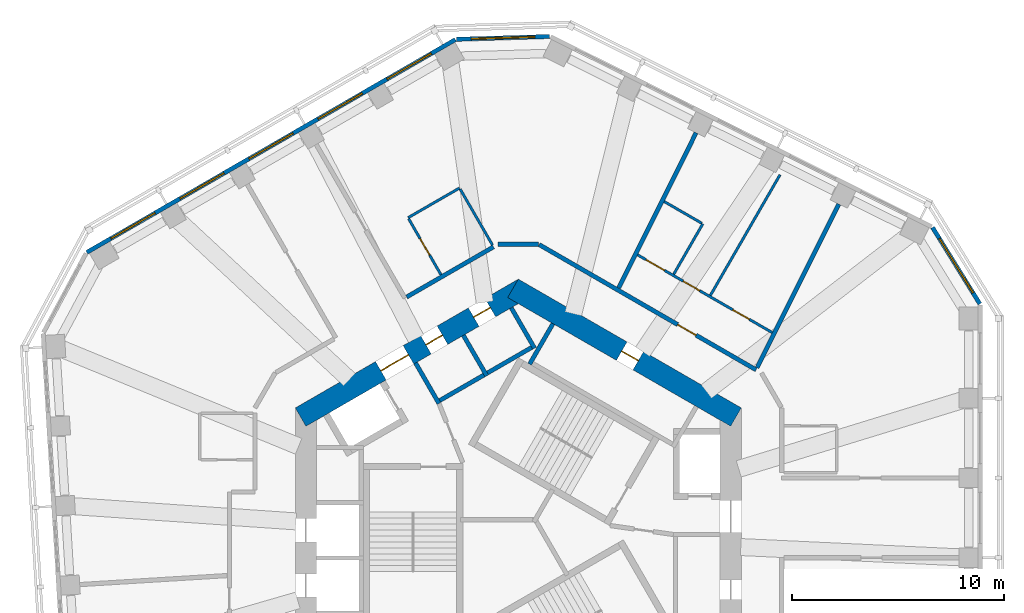
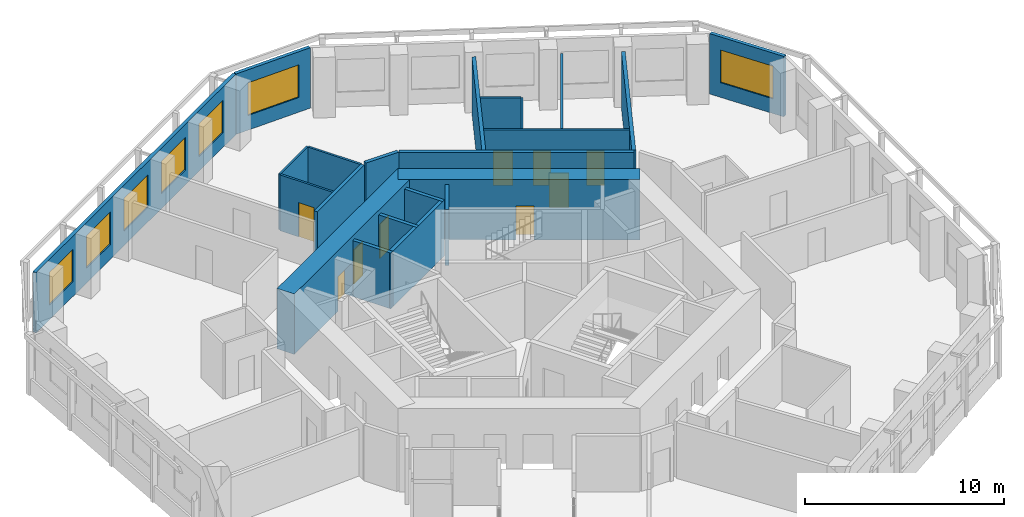
# One storey, part 7 of 11: 22 walls, 9 doors, 7 windows, 16 openings.
"""IFC4 building model written with IfcOpenShell, lengths in metres."""

import ifcopenshell
import ifcopenshell.guid

model = None  # the IFC model being written
_history = None  # IfcOwnerHistory: only IFC2X3 demands one
_inside = {}  # id of a spatial element -> (the spatial element, [elements in it])
_under = {}  # id of a project, library or spatial element -> (it, [spatial elements below it])
_declared = {}  # id of a project -> (the project, [libraries it declares])
_typed = {}  # id of a type object -> (the type object, [elements of that type])
_made_of = {}  # id of a material, layer set ... -> (it, [elements and type objects made of it])


def new_model(schema):
    """Start an empty IFC model of exactly this schema.

    Asked for "IFC4X3", IfcOpenShell would pick the latest addendum, in which some entities
    have other attributes; the version numbers below select the first issue.
    IFC2X3 requires an IfcOwnerHistory on every rooted entity: one is made here for all.
    """
    global model, _history
    if schema == "IFC4X3":
        model = ifcopenshell.file(schema_version=(4, 3, 0, 0))
    else:
        model = ifcopenshell.file(schema=schema)
    _inside.clear()
    _under.clear()
    _declared.clear()
    _typed.clear()
    _made_of.clear()
    _history = None
    if model.schema == "IFC2X3":
        org = make("IfcOrganization", Name="unknown")
        user = make(
            "IfcPersonAndOrganization",
            ThePerson=make("IfcPerson", FamilyName="unknown"),
            TheOrganization=org,
        )
        app = make(
            "IfcApplication",
            ApplicationDeveloper=org,
            Version="unknown",
            ApplicationFullName="unknown",
            ApplicationIdentifier="unknown",
        )
        _history = make(
            "IfcOwnerHistory",
            OwningUser=user,
            OwningApplication=app,
            ChangeAction="ADDED",
            CreationDate=0,
        )
    return model


def make(cls, **values):
    """One entity of the class cls with the attributes given. An attribute that is None is left unset."""
    return model.create_entity(
        cls, **{name: value for name, value in values.items() if value is not None}
    )


def rooted(cls, **values):
    """An entity with a GlobalId (a new one), such as an element, a storey or a relation."""
    return make(cls, GlobalId=ifcopenshell.guid.new(), OwnerHistory=_history, **values)


def si_unit(unit_type, name, prefix=None):
    """IfcSIUnit, for example si_unit("LENGTHUNIT", "METRE", prefix="MILLI")."""
    return make("IfcSIUnit", UnitType=unit_type, Prefix=prefix, Name=name)


def assignment(units):
    """IfcUnitAssignment: the units of a project."""
    return None if units is None else make("IfcUnitAssignment", Units=units)


def point(xyz):
    """IfcCartesianPoint."""
    return None if xyz is None else make("IfcCartesianPoint", Coordinates=xyz)


def direction(xyz):
    """IfcDirection."""
    return None if xyz is None else make("IfcDirection", DirectionRatios=xyz)


def frame(location, z_axis=None, x_axis=None):
    """IfcAxis2Placement3D, a coordinate frame: its origin and axes. An axis left out is left unset."""
    return make(
        "IfcAxis2Placement3D",
        Location=point(location),
        Axis=direction(z_axis),
        RefDirection=direction(x_axis),
    )


def frame_2d(location, x_axis=None):
    """IfcAxis2Placement2D, a coordinate frame in the plane: its origin and x axis."""
    return make(
        "IfcAxis2Placement2D", Location=point(location), RefDirection=direction(x_axis)
    )


def origin():
    """The frame at (0, 0, 0) with its axes left unset."""
    return frame((0.0, 0.0, 0.0))


def place(relative_to, where):
    """IfcLocalPlacement: puts the frame where relative to a parent placement (None: the world)."""
    return make(
        "IfcLocalPlacement", PlacementRelTo=relative_to, RelativePlacement=where
    )


def context(
    kind, dimensions, precision=None, world=None, true_north=None, identifier=None
):
    """IfcGeometricRepresentationContext, for example the 3D "Model" context."""
    return make(
        "IfcGeometricRepresentationContext",
        ContextIdentifier=identifier,
        ContextType=kind,
        CoordinateSpaceDimension=dimensions,
        Precision=precision,
        WorldCoordinateSystem=world,
        TrueNorth=true_north,
    )


def subcontext(parent, identifier, kind, view, scale=None):
    """IfcGeometricRepresentationSubContext, for example "Body" below "Model"."""
    return make(
        "IfcGeometricRepresentationSubContext",
        ContextIdentifier=identifier,
        ContextType=kind,
        ParentContext=parent,
        TargetScale=scale,
        TargetView=view,
    )


def project(units=None, contexts=None):
    """IfcProject with its units and contexts."""
    return rooted(
        "IfcProject",
        Name="project",
        RepresentationContexts=contexts,
        UnitsInContext=assignment(units),
    )


def spatial(cls, under=None, at=None, **own):
    """A site, building, storey or space (cls), placed at a placement, below another one or the project."""
    s = rooted(cls, ObjectPlacement=at, **own)
    if under is not None:
        _under.setdefault(under.id(), (under, []))[1].append(s)
    return s


def profile(cls, at=None, kind="AREA", **sizes):
    """A parametric profile (cls). Its sizes go by their IFC names, for example OverallWidth=200.0."""
    return make(cls, ProfileType=kind, Position=at, **sizes)


def rectangle(**sizes):
    """IfcRectangleProfileDef."""
    return profile("IfcRectangleProfileDef", **sizes)


def extrude(swept, where, along, depth):
    """IfcExtrudedAreaSolid: the profile swept, set in the frame where, extruded along a direction by depth."""
    return make(
        "IfcExtrudedAreaSolid",
        SweptArea=swept,
        Position=where,
        ExtrudedDirection=direction(along),
        Depth=depth,
    )


def shape(context_of_items, identifier, shape_type, items):
    """IfcShapeRepresentation: the items that make up one representation, for example the "Body"."""
    return make(
        "IfcShapeRepresentation",
        ContextOfItems=context_of_items,
        RepresentationIdentifier=identifier,
        RepresentationType=shape_type,
        Items=items,
    )


def material(Name=None, Category=None):
    """IfcMaterial."""
    return make("IfcMaterial", Name=Name, Category=Category)


def layer(
    of_material, thickness, ventilated=None, Name=None, Category=None, Priority=None
):
    """IfcMaterialLayer: one layer of a wall or slab, of a material (None: an air gap)."""
    return make(
        "IfcMaterialLayer",
        Material=of_material,
        LayerThickness=thickness,
        IsVentilated=ventilated,
        Name=Name,
        Category=Category,
        Priority=Priority,
    )


def layer_set(layers, Name=None):
    """IfcMaterialLayerSet."""
    return make("IfcMaterialLayerSet", MaterialLayers=layers, LayerSetName=Name)


def made_of(thing, what):
    """Note that an element or type object is made of a material, layer set ...; save() writes the relation."""
    if what is not None:
        _made_of.setdefault(what.id(), (what, []))[1].append(thing)
    return thing


def type_object(cls, material=None, **own):
    """A type object (cls), such as IfcWallType, which elements share."""
    return made_of(rooted(cls, **own), material)


def element(
    cls,
    number,
    at=None,
    inside=None,
    cuts=None,
    type_object=None,
    material=None,
    context=None,
    identifier="Body",
    shape_type=None,
    held_by="IfcProductDefinitionShape",
    body=None,
    shapes=None,
    **own,
):
    """One element of the class cls, such as IfcWall. Its Tag is "e" and its number.

    at: its placement. inside: the storey or other place that contains it. cuts: it is an
    opening in that element (IfcRelVoidsElement). A single representation is given by context,
    identifier, shape_type and body (its items); several are given by shapes. held_by: the class
    of the entity that holds the representations. save() writes the other relations.
    """
    e = rooted(cls, Tag="e%d" % number, ObjectPlacement=at, **own)
    if body is not None:
        shapes = [shape(context, identifier, shape_type, body)]
    if shapes is not None:
        e.Representation = make(held_by, Representations=shapes)
    if inside is not None:
        _inside.setdefault(inside.id(), (inside, []))[1].append(e)
    if cuts is not None:
        rooted(
            "IfcRelVoidsElement", RelatingBuildingElement=cuts, RelatedOpeningElement=e
        )
    if type_object is not None:
        _typed.setdefault(type_object.id(), (type_object, []))[1].append(e)
    return made_of(e, material)


def fill(opening, filler):
    """IfcRelFillsElement: the door or window that sits in an opening."""
    return rooted(
        "IfcRelFillsElement",
        RelatingOpeningElement=opening,
        RelatedBuildingElement=filler,
    )


def aggregate(whole, parts):
    """IfcRelAggregates: a whole, such as a stair, and the parts it consists of."""
    return rooted("IfcRelAggregates", RelatingObject=whole, RelatedObjects=parts)


def save(model, path):
    """Write the relations noted so far, then the file.

    IfcRelAggregates (storeys below a building ...), IfcRelContainedInSpatialStructure (elements
    in a storey), IfcRelDefinesByType, IfcRelAssociatesMaterial and IfcRelDeclares: one each for
    every whole, place, type object, material and project.
    """
    for whole, parts in _under.values():
        aggregate(whole, parts)
    for where, things in _inside.values():
        rooted(
            "IfcRelContainedInSpatialStructure",
            RelatedElements=things,
            RelatingStructure=where,
        )
    for kind, things in _typed.values():
        rooted("IfcRelDefinesByType", RelatedObjects=things, RelatingType=kind)
    for what, things in _made_of.values():
        rooted("IfcRelAssociatesMaterial", RelatedObjects=things, RelatingMaterial=what)
    for by, libraries in _declared.values():
        rooted("IfcRelDeclares", RelatingContext=by, RelatedDefinitions=libraries)
    model.write(path)


model = new_model("IFC4")

# Units and contexts
model_context = context("Model", 3, precision=1e-05, world=origin(), true_north=direction((0.0, 1.0)))
body_context = subcontext(model_context, "Body", "Model", "MODEL_VIEW")
ifc_project = project(units=[si_unit("LENGTHUNIT", "METRE"), si_unit("AREAUNIT", "SQUARE_METRE"), si_unit("VOLUMEUNIT", "CUBIC_METRE"), si_unit("PLANEANGLEUNIT", "RADIAN"), si_unit("MASSUNIT", "GRAM", prefix="KILO")], contexts=[model_context])

# Site, building, storey
site_placement = place(None, origin())
site = spatial("IfcSite", under=ifc_project, at=site_placement, CompositionType="ELEMENT")
building_placement = place(site_placement, origin())
building = spatial("IfcBuilding", under=site, at=building_placement, Name="Vanh Sen Convention Tower", CompositionType="ELEMENT")
storey_placement = place(building_placement, frame((0.0, 0.0, 179.89990234375)))
storey = spatial("IfcBuildingStorey", under=building, at=storey_placement, Name="L44", CompositionType="ELEMENT", Elevation=179.89990234375)

# Wall
ifc_material_1 = material(Name="Moisture-resistant gypsum board on steel studs", Category="steel")
ifc_layer_1 = layer(ifc_material_1, 0.1201171875)
ifc_layer_set_1 = layer_set([ifc_layer_1], Name="Moisture-resistant gypsum board on steel studs")
wall_type_1 = type_object("IfcWallType", Name="Bathroom partition 120", PredefinedType="PARTITIONING", material=ifc_layer_set_1)
wall_1_placement = place(storey_placement, frame((-5.19140625, 15.01611328125, 0.0), z_axis=(0.0, 0.0, 1.0), x_axis=(0.866034573852, 0.49998411664, 0.0)))
element("IfcWall", 1, at=wall_1_placement, inside=storey, type_object=wall_type_1, Name="Bathroom partition 120", PredefinedType="PARTITIONING", context=body_context, shape_type="SweptSolid", body=[
    extrude(rectangle(XDim=2.7998046875, YDim=0.1201171875, at=frame_2d((1.39990234375, 0.0))), origin(), (0.0, 0.0, 1.0), 3.420166015625),
])

# Wall, opening, door
wall_2_placement = place(storey_placement, frame((-3.641357421875, 12.331298828125, 0.0), z_axis=(0.0, 0.0, 1.0), x_axis=(-0.499991248344, 0.866030456496, 0.0)))
wall_2 = element("IfcWall", 2, at=wall_2_placement, inside=storey, type_object=wall_type_1, Name="Bathroom partition 120", PredefinedType="PARTITIONING", context=body_context, shape_type="SweptSolid", body=[
    extrude(rectangle(XDim=3.0400390625, YDim=0.1201171875, at=frame_2d((1.52001953125, 0.0))), origin(), (0.0, 0.0, 1.0), 3.420166015625),
])
opening_1_placement = place(wall_2_placement, frame((1.070068359375, 0.0, 0.0)))
opening_1 = element("IfcOpeningElement", 3, at=opening_1_placement, cuts=wall_2, Name="Opening D44108", PredefinedType="OPENING", context=body_context, shape_type="SweptSolid", body=[
    extrude(rectangle(XDim=0.89990234375, YDim=2.10009765625, at=frame_2d((0.449951171875, 1.050048828125))), frame((0.0, 0.070068359375, 0.0), z_axis=(0.0, -1.0, 0.0), x_axis=(1.0, 0.0, 0.0)), (0.0, 0.0, 1.0), 0.14013671875),
])
ifc_material_2 = material(Name="Laminate door in steel frame", Category="steel")
door_type_1 = type_object("IfcDoorType", Name="Room internal door 900", OperationType="SINGLE_SWING_LEFT", PredefinedType="DOOR", material=ifc_material_2)
door_1_placement = place(opening_1_placement, origin())
door_1 = element("IfcDoor", 4, at=door_1_placement, inside=storey, type_object=door_type_1, Name="Internal room door D44108", OperationType="SINGLE_SWING_LEFT", OverallHeight=2.10009765625, OverallWidth=0.89990234375, PredefinedType="DOOR", context=body_context, shape_type="SweptSolid", body=[
    extrude(rectangle(XDim=0.89990234375, YDim=2.10009765625, at=frame_2d((0.449951171875, 1.050048828125))), frame((0.0, 0.02490234375, 0.0), z_axis=(0.0, -1.0, 0.0), x_axis=(1.0, 0.0, 0.0)), (0.0, 0.0, 1.0), 0.050048828125),
])
fill(opening_1, door_1)

# Walls
wall_3_placement = place(storey_placement, frame((-2.736572265625, 16.364013671875, 0.0), z_axis=(0.0, 0.0, 1.0), x_axis=(0.500026023896, -0.86601037836, 0.0)))
element("IfcWall", 5, at=wall_3_placement, inside=storey, type_object=wall_type_1, Name="Bathroom partition 120", PredefinedType="PARTITIONING", context=body_context, shape_type="SweptSolid", body=[
    extrude(rectangle(XDim=3.039794921875, YDim=0.1201171875, at=frame_2d((1.52001953125, 0.0))), origin(), (0.0, 0.0, 1.0), 3.420166015625),
])
wall_4_placement = place(storey_placement, frame((7.318115234375, 12.3564453125, 0.0), z_axis=(0.0, 0.0, 1.0), x_axis=(0.499982138324, 0.866035715982, 0.0)))
element("IfcWall", 6, at=wall_4_placement, inside=storey, type_object=wall_type_1, Name="Bathroom partition 120", PredefinedType="PARTITIONING", context=body_context, shape_type="SweptSolid", body=[
    extrude(rectangle(XDim=2.73974609375, YDim=0.1201171875, at=frame_2d((1.369873046875, 0.0))), origin(), (0.0, 0.0, 1.0), 3.420166015625),
])
wall_5_placement = place(storey_placement, frame((8.635986328125, 14.75927734375, 0.0), z_axis=(0.0, 0.0, 1.0), x_axis=(-0.866010195725, 0.500026340207, 0.0)))
element("IfcWall", 7, at=wall_5_placement, inside=storey, type_object=wall_type_1, Name="Bathroom partition 120", PredefinedType="PARTITIONING", context=body_context, shape_type="SweptSolid", body=[
    extrude(rectangle(XDim=2.0400390625, YDim=0.1201171875, at=frame_2d((1.02001953125, 0.0))), origin(), (0.0, 0.0, 1.0), 3.420166015625),
])

# Wall, openings, doors
wall_6_placement = place(storey_placement, frame((11.958984375, 9.607666015625, 0.0), z_axis=(0.0, 0.0, 1.0), x_axis=(-0.866018452427, 0.500012039911, 0.0)))
wall_6 = element("IfcWall", 8, at=wall_6_placement, inside=storey, type_object=wall_type_1, Name="Bathroom partition 120", PredefinedType="PARTITIONING", context=body_context, shape_type="SweptSolid", body=[
    extrude(rectangle(XDim=7.322021484375, YDim=0.1201171875, at=frame_2d((3.6611328125, 0.0))), origin(), (0.0, 0.0, 1.0), 3.420166015625),
])
opening_2_placement = place(wall_6_placement, frame((5.85791015625, 0.0, 0.0)))
opening_2 = element("IfcOpeningElement", 9, at=opening_2_placement, cuts=wall_6, Name="Opening D44104", PredefinedType="OPENING", context=body_context, shape_type="SweptSolid", body=[
    extrude(rectangle(XDim=1.0, YDim=2.10009765625, at=frame_2d((0.5, 1.050048828125))), frame((0.0, 0.070068359375, 0.0), z_axis=(0.0, -1.0, 0.0), x_axis=(1.0, 0.0, 0.0)), (0.0, 0.0, 1.0), 0.14013671875),
])
opening_3_placement = place(wall_6_placement, frame((1.25, 0.0, 0.0)))
opening_3 = element("IfcOpeningElement", 10, at=opening_3_placement, cuts=wall_6, Name="Opening D44105", PredefinedType="OPENING", context=body_context, shape_type="SweptSolid", body=[
    extrude(rectangle(XDim=0.89990234375, YDim=2.10009765625, at=frame_2d((0.449951171875, 1.050048828125))), frame((0.0, 0.070068359375, 0.0), z_axis=(0.0, -1.0, 0.0), x_axis=(1.0, 0.0, 0.0)), (0.0, 0.0, 1.0), 0.14013671875),
])
opening_4_placement = place(wall_6_placement, frame((3.94677734375, 0.0, 0.0)))
opening_4 = element("IfcOpeningElement", 11, at=opening_4_placement, cuts=wall_6, Name="Opening D44106", PredefinedType="OPENING", context=body_context, shape_type="SweptSolid", body=[
    extrude(rectangle(XDim=0.89990234375, YDim=2.10009765625, at=frame_2d((0.449951171875, 1.050048828125))), frame((0.0, 0.070068359375, 0.0), z_axis=(0.0, -1.0, 0.0), x_axis=(1.0, 0.0, 0.0)), (0.0, 0.0, 1.0), 0.14013671875),
])
door_type_2 = type_object("IfcDoorType", Name="Accessible WC door 1000", OperationType="SINGLE_SWING_LEFT", PredefinedType="DOOR", material=ifc_material_2)
door_2_placement = place(opening_2_placement, origin())
door_2 = element("IfcDoor", 12, at=door_2_placement, inside=storey, type_object=door_type_2, Name="Accessible WC door D44104", OperationType="SINGLE_SWING_LEFT", OverallHeight=2.10009765625, OverallWidth=1.0, PredefinedType="DOOR", context=body_context, shape_type="SweptSolid", body=[
    extrude(rectangle(XDim=1.0, YDim=2.10009765625, at=frame_2d((0.5, 1.050048828125))), frame((0.0, 0.02490234375, 0.0), z_axis=(0.0, -1.0, 0.0), x_axis=(1.0, 0.0, 0.0)), (0.0, 0.0, 1.0), 0.050048828125),
])
fill(opening_2, door_2)
door_3_placement = place(opening_3_placement, origin())
door_3 = element("IfcDoor", 13, at=door_3_placement, inside=storey, type_object=door_type_1, Name="Internal room door D44105", OperationType="SINGLE_SWING_LEFT", OverallHeight=2.10009765625, OverallWidth=0.89990234375, PredefinedType="DOOR", context=body_context, shape_type="SweptSolid", body=[
    extrude(rectangle(XDim=0.89990234375, YDim=2.10009765625, at=frame_2d((0.449951171875, 1.050048828125))), frame((0.0, 0.02490234375, 0.0), z_axis=(0.0, -1.0, 0.0), x_axis=(1.0, 0.0, 0.0)), (0.0, 0.0, 1.0), 0.050048828125),
])
fill(opening_3, door_3)
door_4_placement = place(opening_4_placement, origin())
door_4 = element("IfcDoor", 14, at=door_4_placement, inside=storey, type_object=door_type_1, Name="Internal room door D44106", OperationType="SINGLE_SWING_LEFT", OverallHeight=2.10009765625, OverallWidth=0.89990234375, PredefinedType="DOOR", context=body_context, shape_type="SweptSolid", body=[
    extrude(rectangle(XDim=0.89990234375, YDim=2.10009765625, at=frame_2d((0.449951171875, 1.050048828125))), frame((0.0, 0.02490234375, 0.0), z_axis=(0.0, -1.0, 0.0), x_axis=(1.0, 0.0, 0.0)), (0.0, 0.0, 1.0), 0.050048828125),
])
fill(opening_4, door_4)

# Wall
wall_7_placement = place(storey_placement, frame((12.32470703125, 17.041015625, 0.0), z_axis=(0.0, 0.0, 1.0), x_axis=(-0.499985538654, -0.866033752885, 0.0)))
element("IfcWall", 15, at=wall_7_placement, inside=storey, type_object=wall_type_1, Name="Bathroom partition 120", PredefinedType="PARTITIONING", context=body_context, shape_type="SweptSolid", body=[
    extrude(rectangle(XDim=6.560302734375, YDim=0.1201171875, at=frame_2d((3.2802734375, 0.0))), origin(), (0.0, 0.0, 1.0), 3.420166015625),
])

# Wall, opening, door
ifc_material_3 = material(Name="Concrete C80/95", Category="concrete")
ifc_layer_2 = layer(ifc_material_3, 1.0)
ifc_layer_set_2 = layer_set([ifc_layer_2], Name="Concrete C80/95")
wall_type_2 = type_object("IfcWallType", Name="Core outer wall 1000 C80/95", PredefinedType="SHEAR", material=ifc_layer_set_2)
wall_8_placement = place(storey_placement, frame((10.25, 5.629150390625, 0.0), z_axis=(0.0, 0.0, 1.0), x_axis=(-0.866022616891, 0.50000482701, 0.0)))
wall_8 = element("IfcWall", 16, at=wall_8_placement, inside=storey, type_object=wall_type_2, Name="Core wall face NE L44", PredefinedType="SHEAR", context=body_context, shape_type="SweptSolid", body=[
    extrude(rectangle(XDim=12.12451171875, YDim=1.0, at=frame_2d((6.062255859375, 0.0))), origin(), (0.0, 0.0, 1.0), 3.7001953125),
])
opening_5_placement = place(wall_8_placement, frame((5.312255859375, 0.0, 0.0)))
opening_5 = element("IfcOpeningElement", 17, at=opening_5_placement, cuts=wall_8, Name="Opening D44011", PredefinedType="OPENING", context=body_context, shape_type="SweptSolid", body=[
    extrude(rectangle(XDim=0.89990234375, YDim=2.10009765625, at=frame_2d((0.449951171875, 1.050048828125))), frame((0.0, 0.510009765625, 0.0), z_axis=(0.0, -1.0, 0.0), x_axis=(1.0, 0.0, 0.0)), (0.0, 0.0, 1.0), 1.02001953125),
])
ifc_material_4 = material(Name="Steel S355", Category="steel")
door_type_3 = type_object("IfcDoorType", Name="Plant door 900", OperationType="SINGLE_SWING_LEFT", PredefinedType="DOOR", material=ifc_material_4)
door_5_placement = place(opening_5_placement, origin())
door_5 = element("IfcDoor", 18, at=door_5_placement, inside=storey, type_object=door_type_3, Name="Plant door D44011", OperationType="SINGLE_SWING_LEFT", OverallHeight=2.10009765625, OverallWidth=0.89990234375, PredefinedType="DOOR", context=body_context, shape_type="SweptSolid", body=[
    extrude(rectangle(XDim=0.89990234375, YDim=2.10009765625, at=frame_2d((0.449951171875, 1.050048828125))), frame((0.0, 0.02490234375, 0.0), z_axis=(0.0, -1.0, 0.0), x_axis=(1.0, 0.0, 0.0)), (0.0, 0.0, 1.0), 0.050048828125),
])
fill(opening_5, door_5)

# Wall, openings, doors
wall_9_placement = place(storey_placement, frame((0.25, 11.69140625, 0.0), z_axis=(0.0, 0.0, 1.0), x_axis=(-0.866022616891, -0.50000482701, 0.0)))
wall_9 = element("IfcWall", 19, at=wall_9_placement, inside=storey, type_object=wall_type_2, Name="Core wall face NW L44", PredefinedType="SHEAR", context=body_context, shape_type="SweptSolid", body=[
    extrude(rectangle(XDim=12.12451171875, YDim=1.0, at=frame_2d((6.062255859375, 0.0))), origin(), (0.0, 0.0, 1.0), 3.7001953125),
])
opening_6_placement = place(wall_9_placement, frame((6.26220703125, 0.0, 0.0)))
opening_6 = element("IfcOpeningElement", 20, at=opening_6_placement, cuts=wall_9, Name="Opening D44002", PredefinedType="OPENING", context=body_context, shape_type="SweptSolid", body=[
    extrude(rectangle(XDim=1.5, YDim=2.10009765625, at=frame_2d((0.75, 1.050048828125))), frame((0.0, 0.510009765625, 0.0), z_axis=(0.0, -1.0, 0.0), x_axis=(1.0, 0.0, 0.0)), (0.0, 0.0, 1.0), 1.02001953125),
])
opening_7_placement = place(wall_9_placement, frame((1.812255859375, 0.0, 0.0)))
opening_7 = element("IfcOpeningElement", 21, at=opening_7_placement, cuts=wall_9, Name="Opening D44012", PredefinedType="OPENING", context=body_context, shape_type="SweptSolid", body=[
    extrude(rectangle(XDim=0.89990234375, YDim=2.10009765625, at=frame_2d((0.449951171875, 1.050048828125))), frame((0.0, 0.510009765625, 0.0), z_axis=(0.0, -1.0, 0.0), x_axis=(1.0, 0.0, 0.0)), (0.0, 0.0, 1.0), 1.02001953125),
])
opening_8_placement = place(wall_9_placement, frame((4.412109375, 0.0, 0.0)))
opening_8 = element("IfcOpeningElement", 22, at=opening_8_placement, cuts=wall_9, Name="Opening D44013", PredefinedType="OPENING", context=body_context, shape_type="SweptSolid", body=[
    extrude(rectangle(XDim=0.89990234375, YDim=2.10009765625, at=frame_2d((0.449951171875, 1.050048828125))), frame((0.0, 0.510009765625, 0.0), z_axis=(0.0, -1.0, 0.0), x_axis=(1.0, 0.0, 0.0)), (0.0, 0.0, 1.0), 1.02001953125),
])
door_6_placement = place(opening_7_placement, origin())
door_6 = element("IfcDoor", 23, at=door_6_placement, inside=storey, type_object=door_type_3, Name="Plant door D44012", OperationType="SINGLE_SWING_LEFT", OverallHeight=2.10009765625, OverallWidth=0.89990234375, PredefinedType="DOOR", context=body_context, shape_type="SweptSolid", body=[
    extrude(rectangle(XDim=0.89990234375, YDim=2.10009765625, at=frame_2d((0.449951171875, 1.050048828125))), frame((0.0, 0.02490234375, 0.0), z_axis=(0.0, -1.0, 0.0), x_axis=(1.0, 0.0, 0.0)), (0.0, 0.0, 1.0), 0.050048828125),
])
fill(opening_7, door_6)
door_7_placement = place(opening_8_placement, origin())
door_7 = element("IfcDoor", 24, at=door_7_placement, inside=storey, type_object=door_type_3, Name="Plant door D44013", OperationType="SINGLE_SWING_LEFT", OverallHeight=2.10009765625, OverallWidth=0.89990234375, PredefinedType="DOOR", context=body_context, shape_type="SweptSolid", body=[
    extrude(rectangle(XDim=0.89990234375, YDim=2.10009765625, at=frame_2d((0.449951171875, 1.050048828125))), frame((0.0, 0.02490234375, 0.0), z_axis=(0.0, -1.0, 0.0), x_axis=(1.0, 0.0, 0.0)), (0.0, 0.0, 1.0), 0.050048828125),
])
fill(opening_8, door_7)
door_type_4 = type_object("IfcDoorType", Name="Stair lobby door 1500", OperationType="DOUBLE_DOOR_SINGLE_SWING", PredefinedType="DOOR", material=ifc_material_4)
door_8_placement = place(opening_6_placement, origin())
door_8 = element("IfcDoor", 25, at=door_8_placement, inside=storey, type_object=door_type_4, Name="Stair lobby door D44002", OperationType="DOUBLE_DOOR_SINGLE_SWING", OverallHeight=2.10009765625, OverallWidth=1.5, PredefinedType="DOOR", context=body_context, shape_type="SweptSolid", body=[
    extrude(rectangle(XDim=1.5, YDim=2.10009765625, at=frame_2d((0.75, 1.050048828125))), frame((0.0, 0.02490234375, 0.0), z_axis=(0.0, -1.0, 0.0), x_axis=(1.0, 0.0, 0.0)), (0.0, 0.0, 1.0), 0.050048828125),
])
fill(opening_6, door_8)

# Walls
ifc_material_5 = material(Name="Gypsum board on steel studs with mineral wool", Category="steel")
ifc_layer_3 = layer(ifc_material_5, 0.199951171875)
ifc_layer_set_3 = layer_set([ifc_layer_3], Name="Gypsum board on steel studs with mineral wool")
wall_type_3 = type_object("IfcWallType", Name="Corridor partition wall 200", PredefinedType="PARTITIONING", material=ifc_layer_set_3)
wall_10_placement = place(storey_placement, frame((-1.16650390625, 13.644775390625, 0.0), z_axis=(0.0, 0.0, 1.0), x_axis=(-0.866034830959, -0.499983671299, 0.0)))
element("IfcWall", 26, at=wall_10_placement, inside=storey, type_object=wall_type_3, Name="Corridor partition wall 200", PredefinedType="PARTITIONING", context=body_context, shape_type="SweptSolid", body=[
    extrude(rectangle(XDim=4.719482421875, YDim=0.199951171875, at=frame_2d((2.35986328125, 0.0))), origin(), (0.0, 0.0, 1.0), 3.420166015625),
])
wall_11_placement = place(storey_placement, frame((0.949951171875, 13.769775390625, 0.0), z_axis=(0.0, 0.0, 1.0), x_axis=(-1.0, 0.0, 0.0)))
element("IfcWall", 27, at=wall_11_placement, inside=storey, type_object=wall_type_3, Name="Corridor partition wall 200", PredefinedType="PARTITIONING", context=body_context, shape_type="SweptSolid", body=[
    extrude(rectangle(XDim=1.89990234375, YDim=0.199951171875, at=frame_2d((0.949951171875, 0.0))), origin(), (0.0, 0.0, 1.0), 3.420166015625),
])

# Wall, opening, door
wall_12_placement = place(storey_placement, frame((11.1962890625, 7.85400390625, 0.0), z_axis=(0.0, 0.0, 1.0), x_axis=(-0.866023877043, 0.500002644385, 0.0)))
wall_12 = element("IfcWall", 28, at=wall_12_placement, inside=storey, type_object=wall_type_3, Name="Corridor partition wall 200", PredefinedType="PARTITIONING", context=body_context, shape_type="SweptSolid", body=[
    extrude(rectangle(XDim=11.79150390625, YDim=0.199951171875, at=frame_2d((5.895751953125, 0.0))), origin(), (0.0, 0.0, 1.0), 3.420166015625),
])
opening_9_placement = place(wall_12_placement, frame((3.26123046875, 0.0, 0.0)))
opening_9 = element("IfcOpeningElement", 29, at=opening_9_placement, cuts=wall_12, Name="Opening D44103", PredefinedType="OPENING", context=body_context, shape_type="SweptSolid", body=[
    extrude(rectangle(XDim=1.0, YDim=2.10009765625, at=frame_2d((0.5, 1.050048828125))), frame((0.0, 0.10986328125, 0.0), z_axis=(0.0, -1.0, 0.0), x_axis=(1.0, 0.0, 0.0)), (0.0, 0.0, 1.0), 0.219970703125),
])
ifc_material_6 = material(Name="Timber fire door in steel frame", Category="steel")
door_type_5 = type_object("IfcDoorType", Name="Floor room door 1000", OperationType="SINGLE_SWING_LEFT", PredefinedType="DOOR", material=ifc_material_6)
door_9_placement = place(opening_9_placement, origin())
door_9 = element("IfcDoor", 30, at=door_9_placement, inside=storey, type_object=door_type_5, Name="Meeting and amenity room door D44103", OperationType="SINGLE_SWING_LEFT", OverallHeight=2.10009765625, OverallWidth=1.0, PredefinedType="DOOR", context=body_context, shape_type="SweptSolid", body=[
    extrude(rectangle(XDim=1.0, YDim=2.10009765625, at=frame_2d((0.5, 1.050048828125))), frame((0.0, 0.02490234375, 0.0), z_axis=(0.0, -1.0, 0.0), x_axis=(1.0, 0.0, 0.0)), (0.0, 0.0, 1.0), 0.050048828125),
])
fill(opening_9, door_9)

# Wall, opening, window
ifc_material_7 = material(Name="Insulated lightweight infill wall")
ifc_layer_4 = layer(ifc_material_7, 0.199951171875)
ifc_layer_set_4 = layer_set([ifc_layer_4], Name="Insulated lightweight infill wall")
wall_type_4 = type_object("IfcWallType", Name="External wall 200", PredefinedType="STANDARD", material=ifc_layer_set_4)
wall_13_placement = place(storey_placement, frame((21.735107421875, 10.9580078125, 0.0), z_axis=(0.0, 0.0, 1.0), x_axis=(-0.526213807775, 0.850352296702, 0.0)))
wall_13 = element("IfcWall", 31, at=wall_13_placement, inside=storey, type_object=wall_type_4, Name="External wall CH1 L44", PredefinedType="STANDARD", context=body_context, shape_type="SweptSolid", body=[
    extrude(rectangle(XDim=4.23828125, YDim=0.199951171875, at=frame_2d((2.119140625, 0.0))), origin(), (0.0, 0.0, 1.0), 3.7001953125),
])
opening_10_placement = place(wall_13_placement, frame((0.619140625, 0.0, 0.89990234375)))
opening_10 = element("IfcOpeningElement", 32, at=opening_10_placement, cuts=wall_13, Name="Opening WO2-CH11", PredefinedType="OPENING", context=body_context, shape_type="SweptSolid", body=[
    extrude(rectangle(XDim=3.0, YDim=2.0, at=frame_2d((1.5, 1.0))), frame((0.0, 0.10986328125, 0.0), z_axis=(0.0, -1.0, 0.0), x_axis=(1.0, 0.0, 0.0)), (0.0, 0.0, 1.0), 0.219970703125),
])
ifc_material_8 = material(Name="Aluminium frame with clear low-emissivity glass", Category="aluminium")
window_type_1 = type_object("IfcWindowType", Name="Office window 3000 x 2000", PartitioningType="SINGLE_PANEL", PredefinedType="WINDOW", material=ifc_material_8)
window_1_placement = place(opening_10_placement, origin())
window_1 = element("IfcWindow", 33, at=window_1_placement, inside=storey, type_object=window_type_1, Name="Window WO2-CH11", OverallHeight=2.0, OverallWidth=3.0, PartitioningType="SINGLE_PANEL", PredefinedType="WINDOW", context=body_context, shape_type="SweptSolid", body=[
    extrude(rectangle(XDim=3.0, YDim=2.0, at=frame_2d((1.5, 1.0))), frame((0.0, 0.030029296875, 0.0), z_axis=(0.0, -1.0, 0.0), x_axis=(1.0, 0.0, 0.0)), (0.0, 0.0, 1.0), 0.06005859375),
])
fill(opening_10, window_1)

wall_14_placement = place(storey_placement, frame((1.478759765625, 23.552734375, 0.0), z_axis=(0.0, 0.0, 1.0), x_axis=(-0.999534786117, -0.03049936625, 0.0)))
wall_14 = element("IfcWall", 34, at=wall_14_placement, inside=storey, type_object=wall_type_4, Name="External wall CH2 L44", PredefinedType="STANDARD", context=body_context, shape_type="SweptSolid", body=[
    extrude(rectangle(XDim=4.39453125, YDim=0.199951171875, at=frame_2d((2.197265625, 0.0))), origin(), (0.0, 0.0, 1.0), 3.7001953125),
])
opening_11_placement = place(wall_14_placement, frame((0.697509765625, 0.0, 0.89990234375)))
opening_11 = element("IfcOpeningElement", 35, at=opening_11_placement, cuts=wall_14, Name="Opening WO2-CH21", PredefinedType="OPENING", context=body_context, shape_type="SweptSolid", body=[
    extrude(rectangle(XDim=3.0, YDim=2.0, at=frame_2d((1.5, 1.0))), frame((0.0, 0.10986328125, 0.0), z_axis=(0.0, -1.0, 0.0), x_axis=(1.0, 0.0, 0.0)), (0.0, 0.0, 1.0), 0.219970703125),
])
window_2_placement = place(opening_11_placement, origin())
window_2 = element("IfcWindow", 36, at=window_2_placement, inside=storey, type_object=window_type_1, Name="Window WO2-CH21", OverallHeight=2.0, OverallWidth=3.0, PartitioningType="SINGLE_PANEL", PredefinedType="WINDOW", context=body_context, shape_type="SweptSolid", body=[
    extrude(rectangle(XDim=3.0, YDim=2.0, at=frame_2d((1.5, 1.0))), frame((0.0, 0.030029296875, 0.0), z_axis=(0.0, -1.0, 0.0), x_axis=(1.0, 0.0, 0.0)), (0.0, 0.0, 1.0), 0.06005859375),
])
fill(opening_11, window_2)

# Wall, openings, windows
wall_15_placement = place(storey_placement, frame((-2.9609375, 23.4052734375, 0.0), z_axis=(0.0, 0.0, 1.0), x_axis=(-0.866023315909, -0.500003616288, 0.0)))
wall_15 = element("IfcWall", 37, at=wall_15_placement, inside=storey, type_object=wall_type_4, Name="External wall NW L44", PredefinedType="STANDARD", context=body_context, shape_type="SweptSolid", body=[
    extrude(rectangle(XDim=20.043701171875, YDim=0.199951171875, at=frame_2d((10.02197265625, 0.0))), origin(), (0.0, 0.0, 1.0), 3.7001953125),
])
opening_12_placement = place(wall_15_placement, frame((1.314453125, 0.0, 0.89990234375)))
opening_12 = element("IfcOpeningElement", 38, at=opening_12_placement, cuts=wall_15, Name="Opening WO1-NW1", PredefinedType="OPENING", context=body_context, shape_type="SweptSolid", body=[
    extrude(rectangle(XDim=2.39990234375, YDim=2.0, at=frame_2d((1.199951171875, 1.0))), frame((0.0, 0.10986328125, 0.0), z_axis=(0.0, -1.0, 0.0), x_axis=(1.0, 0.0, 0.0)), (0.0, 0.0, 1.0), 0.219970703125),
])
opening_13_placement = place(wall_15_placement, frame((5.068603515625, 0.0, 0.89990234375)))
opening_13 = element("IfcOpeningElement", 39, at=opening_13_placement, cuts=wall_15, Name="Opening WO1-NW2", PredefinedType="OPENING", context=body_context, shape_type="SweptSolid", body=[
    extrude(rectangle(XDim=2.39990234375, YDim=2.0, at=frame_2d((1.199951171875, 1.0))), frame((0.0, 0.10986328125, 0.0), z_axis=(0.0, -1.0, 0.0), x_axis=(1.0, 0.0, 0.0)), (0.0, 0.0, 1.0), 0.219970703125),
])
opening_14_placement = place(wall_15_placement, frame((8.82275390625, 0.0, 0.89990234375)))
opening_14 = element("IfcOpeningElement", 40, at=opening_14_placement, cuts=wall_15, Name="Opening WO1-NW3", PredefinedType="OPENING", context=body_context, shape_type="SweptSolid", body=[
    extrude(rectangle(XDim=2.39990234375, YDim=2.0, at=frame_2d((1.199951171875, 1.0))), frame((0.0, 0.10986328125, 0.0), z_axis=(0.0, -1.0, 0.0), x_axis=(1.0, 0.0, 0.0)), (0.0, 0.0, 1.0), 0.219970703125),
])
opening_15_placement = place(wall_15_placement, frame((12.576904296875, 0.0, 0.89990234375)))
opening_15 = element("IfcOpeningElement", 41, at=opening_15_placement, cuts=wall_15, Name="Opening WO1-NW4", PredefinedType="OPENING", context=body_context, shape_type="SweptSolid", body=[
    extrude(rectangle(XDim=2.39990234375, YDim=2.0, at=frame_2d((1.199951171875, 1.0))), frame((0.0, 0.10986328125, 0.0), z_axis=(0.0, -1.0, 0.0), x_axis=(1.0, 0.0, 0.0)), (0.0, 0.0, 1.0), 0.219970703125),
])
opening_16_placement = place(wall_15_placement, frame((16.330810546875, 0.0, 0.89990234375)))
opening_16 = element("IfcOpeningElement", 42, at=opening_16_placement, cuts=wall_15, Name="Opening WO1-NW5", PredefinedType="OPENING", context=body_context, shape_type="SweptSolid", body=[
    extrude(rectangle(XDim=2.39990234375, YDim=2.0, at=frame_2d((1.199951171875, 1.0))), frame((0.0, 0.10986328125, 0.0), z_axis=(0.0, -1.0, 0.0), x_axis=(1.0, 0.0, 0.0)), (0.0, 0.0, 1.0), 0.219970703125),
])
window_type_2 = type_object("IfcWindowType", Name="Office window 2400 x 2000", PartitioningType="SINGLE_PANEL", PredefinedType="WINDOW", material=ifc_material_8)
window_3_placement = place(opening_12_placement, origin())
window_3 = element("IfcWindow", 43, at=window_3_placement, inside=storey, type_object=window_type_2, Name="Window WO1-NW1", OverallHeight=2.0, OverallWidth=2.39990234375, PartitioningType="SINGLE_PANEL", PredefinedType="WINDOW", context=body_context, shape_type="SweptSolid", body=[
    extrude(rectangle(XDim=2.39990234375, YDim=2.0, at=frame_2d((1.199951171875, 1.0))), frame((0.0, 0.030029296875, 0.0), z_axis=(0.0, -1.0, 0.0), x_axis=(1.0, 0.0, 0.0)), (0.0, 0.0, 1.0), 0.06005859375),
])
fill(opening_12, window_3)
window_4_placement = place(opening_13_placement, origin())
window_4 = element("IfcWindow", 44, at=window_4_placement, inside=storey, type_object=window_type_2, Name="Window WO1-NW2", OverallHeight=2.0, OverallWidth=2.39990234375, PartitioningType="SINGLE_PANEL", PredefinedType="WINDOW", context=body_context, shape_type="SweptSolid", body=[
    extrude(rectangle(XDim=2.39990234375, YDim=2.0, at=frame_2d((1.199951171875, 1.0))), frame((0.0, 0.030029296875, 0.0), z_axis=(0.0, -1.0, 0.0), x_axis=(1.0, 0.0, 0.0)), (0.0, 0.0, 1.0), 0.06005859375),
])
fill(opening_13, window_4)
window_5_placement = place(opening_14_placement, origin())
window_5 = element("IfcWindow", 45, at=window_5_placement, inside=storey, type_object=window_type_2, Name="Window WO1-NW3", OverallHeight=2.0, OverallWidth=2.39990234375, PartitioningType="SINGLE_PANEL", PredefinedType="WINDOW", context=body_context, shape_type="SweptSolid", body=[
    extrude(rectangle(XDim=2.39990234375, YDim=2.0, at=frame_2d((1.199951171875, 1.0))), frame((0.0, 0.030029296875, 0.0), z_axis=(0.0, -1.0, 0.0), x_axis=(1.0, 0.0, 0.0)), (0.0, 0.0, 1.0), 0.06005859375),
])
fill(opening_14, window_5)
window_6_placement = place(opening_15_placement, origin())
window_6 = element("IfcWindow", 46, at=window_6_placement, inside=storey, type_object=window_type_2, Name="Window WO1-NW4", OverallHeight=2.0, OverallWidth=2.39990234375, PartitioningType="SINGLE_PANEL", PredefinedType="WINDOW", context=body_context, shape_type="SweptSolid", body=[
    extrude(rectangle(XDim=2.39990234375, YDim=2.0, at=frame_2d((1.199951171875, 1.0))), frame((0.0, 0.030029296875, 0.0), z_axis=(0.0, -1.0, 0.0), x_axis=(1.0, 0.0, 0.0)), (0.0, 0.0, 1.0), 0.06005859375),
])
fill(opening_15, window_6)
window_7_placement = place(opening_16_placement, origin())
window_7 = element("IfcWindow", 47, at=window_7_placement, inside=storey, type_object=window_type_2, Name="Window WO1-NW5", OverallHeight=2.0, OverallWidth=2.39990234375, PartitioningType="SINGLE_PANEL", PredefinedType="WINDOW", context=body_context, shape_type="SweptSolid", body=[
    extrude(rectangle(XDim=2.39990234375, YDim=2.0, at=frame_2d((1.199951171875, 1.0))), frame((0.0, 0.030029296875, 0.0), z_axis=(0.0, -1.0, 0.0), x_axis=(1.0, 0.0, 0.0)), (0.0, 0.0, 1.0), 0.06005859375),
])
fill(opening_16, window_7)

# Walls
ifc_material_9 = material(Name="Concrete C40/50", Category="concrete")
ifc_layer_5 = layer(ifc_material_9, 0.199951171875)
ifc_layer_set_5 = layer_set([ifc_layer_5], Name="Concrete C40/50")
wall_type_5 = type_object("IfcWallType", Name="Lift shaft wall 200", PredefinedType="PARTITIONING", material=ifc_layer_set_5)
wall_16_placement = place(storey_placement, frame((0.5322265625, 8.1220703125, 0.0), z_axis=(0.0, 0.0, 1.0), x_axis=(0.500077893725, 0.86598042715, 0.0)))
element("IfcWall", 48, at=wall_16_placement, inside=storey, type_object=wall_type_5, Name="Lift shaft wall L44", PredefinedType="PARTITIONING", context=body_context, shape_type="SweptSolid", body=[
    extrude(rectangle(XDim=2.199951171875, YDim=0.199951171875, at=frame_2d((1.10009765625, 0.0))), origin(), (0.0, 0.0, 1.0), 3.420166015625),
])
wall_17_placement = place(storey_placement, frame((0.80322265625, 9.008544921875, 0.0), z_axis=(0.0, 0.0, 1.0), x_axis=(-0.866028230842, -0.499995103361, 0.0)))
element("IfcWall", 49, at=wall_17_placement, inside=storey, type_object=wall_type_5, Name="Lift shaft wall L44", PredefinedType="PARTITIONING", context=body_context, shape_type="SweptSolid", body=[
    extrude(rectangle(XDim=5.39990234375, YDim=0.199951171875, at=frame_2d((2.699951171875, 0.0))), origin(), (0.0, 0.0, 1.0), 3.420166015625),
])
wall_18_placement = place(storey_placement, frame((0.7666015625, 8.8720703125, 0.0), z_axis=(0.0, 0.0, 1.0), x_axis=(-0.499994660107, 0.866028486751, 0.0)))
element("IfcWall", 50, at=wall_18_placement, inside=storey, type_object=wall_type_5, Name="Lift shaft wall L44", PredefinedType="PARTITIONING", context=body_context, shape_type="SweptSolid", body=[
    extrude(rectangle(XDim=2.19970703125, YDim=0.199951171875, at=frame_2d((1.099853515625, 0.0))), origin(), (0.0, 0.0, 1.0), 3.420166015625),
])
for number, where, z_axis, x_axis, name in (
    (51, (-1.48486328125, 7.572021484375, 0.0), (0.0, 0.0, 1.0), (-0.50002983664, 0.866008176907, 0.0), "Lift shaft wall L44"),
    (52, (-3.736572265625, 6.27197265625, 0.0), (0.0, 0.0, 1.0), (-0.50002983664, 0.866008176907, 0.0), "Lift shaft wall L44"),
):
    element("IfcWall", number, at=place(storey_placement, frame(where, z_axis=z_axis, x_axis=x_axis)), inside=storey, type_object=wall_type_5, Name=name, PredefinedType="PARTITIONING", context=body_context, shape_type="SweptSolid", body=[
        extrude(rectangle(XDim=2.199951171875, YDim=0.199951171875, at=frame_2d((1.10009765625, 0.0))), origin(), (0.0, 0.0, 1.0), 3.420166015625),
    ])
ifc_layer_6 = layer(ifc_material_5, 0.199951171875)
ifc_layer_set_6 = layer_set([ifc_layer_6], Name="Gypsum board on steel studs with mineral wool")
wall_type_6 = type_object("IfcWallType", Name="Tenant suite wall 200", PredefinedType="PARTITIONING", material=ifc_layer_set_6)
wall_19_placement = place(storey_placement, frame((8.3701171875, 19.012939453125, 0.0), z_axis=(0.0, 0.0, 1.0), x_axis=(-0.446183598632, -0.894941448538, 0.0)))
element("IfcWall", 53, at=wall_19_placement, inside=storey, type_object=wall_type_6, Name="Tenant suite wall 200", PredefinedType="PARTITIONING", context=body_context, shape_type="SweptSolid", body=[
    extrude(rectangle(XDim=8.15625, YDim=0.199951171875, at=frame_2d((4.078125, 0.0))), origin(), (0.0, 0.0, 1.0), 3.420166015625),
])
wall_20_placement = place(storey_placement, frame((15.089599609375, 15.66259765625, 0.0), z_axis=(0.0, 0.0, 1.0), x_axis=(-0.446204491029, -0.894931032083, 0.0)))
element("IfcWall", 54, at=wall_20_placement, inside=storey, type_object=wall_type_6, Name="Tenant suite wall 200", PredefinedType="PARTITIONING", context=body_context, shape_type="SweptSolid", body=[
    extrude(rectangle(XDim=8.615478515625, YDim=0.199951171875, at=frame_2d((4.3076171875, 0.0))), origin(), (0.0, 0.0, 1.0), 3.420166015625),
])

save(model, "model.ifc")
